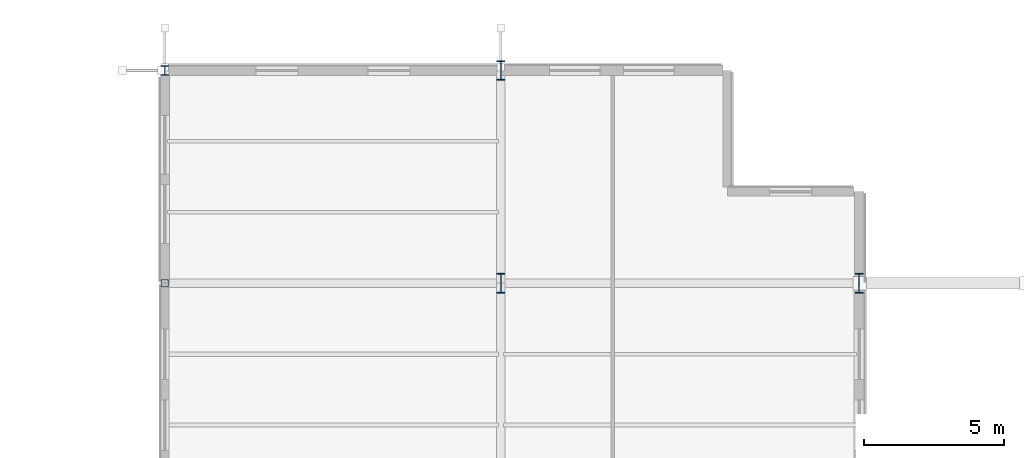
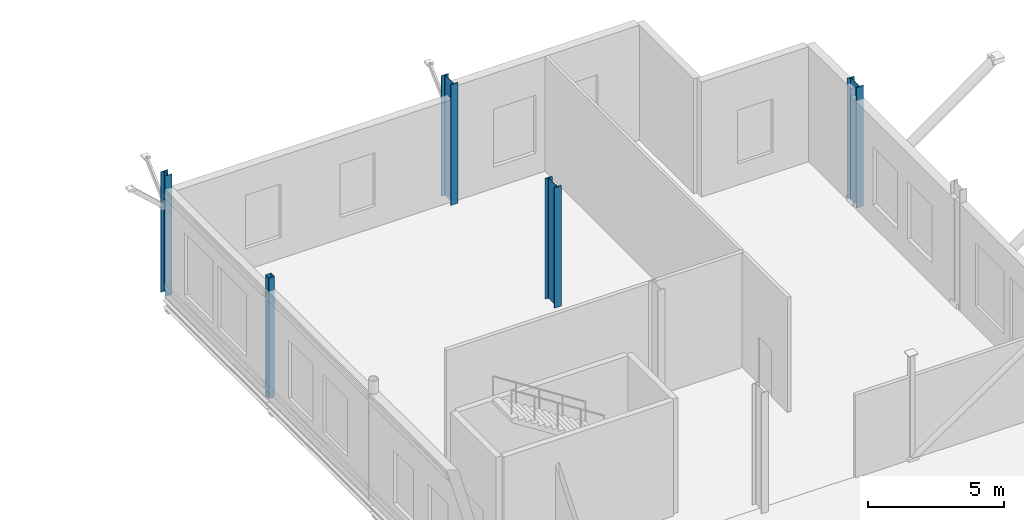
# One storey, part 24 of 147: 5 columns.
"""IFC4 building model written with IfcOpenShell, lengths in metres."""

from ifc_helpers import new_model, si_unit, direction, frame, origin, origin_2d, place, context, subcontext, project, spatial, hollow_rectangle, i_section, extrude, material, material_profile, profile_set, type_object, element, save


model = new_model("IFC4")

# Units and contexts
model_context = context("Model", 3, precision=1e-05, world=origin(), true_north=direction((0.0, 1.0)))
body_context = subcontext(model_context, "Body", "Model", "MODEL_VIEW")
ifc_project = project(units=[si_unit("LENGTHUNIT", "METRE"), si_unit("AREAUNIT", "SQUARE_METRE"), si_unit("VOLUMEUNIT", "CUBIC_METRE"), si_unit("PLANEANGLEUNIT", "RADIAN"), si_unit("MASSUNIT", "GRAM", prefix="KILO")], contexts=[model_context])

# Site, building, storey
site_placement = place(None, origin())
site = spatial("IfcSite", under=ifc_project, at=site_placement, CompositionType="ELEMENT")
building_placement = place(site_placement, origin())
building = spatial("IfcBuilding", under=site, at=building_placement, Name="Vekula Escarpment Museum", CompositionType="ELEMENT")
storey_placement = place(building_placement, frame((0.0, 0.0, 7.800048828125)))
storey = spatial("IfcBuildingStorey", under=building, at=storey_placement, Name="L02", CompositionType="ELEMENT", Elevation=7.800048828125)

# Columns
ifc_material_1 = material(Name="Steel S355", Category="steel")
ifc_material_profile_1 = material_profile(ifc_material_1, i_section(OverallWidth=0.300048828125, OverallDepth=0.330078125, WebThickness=0.009521484375, FlangeThickness=0.0166015625, FilletRadius=0.027099609375, at=origin_2d()), Name="HEA 340")
ifc_profile_set_1 = profile_set([ifc_material_profile_1], Name="Steel S355")
column_type_1 = type_object("IfcColumnType", Name="COL-S-HEA340", PredefinedType="COLUMN", material=ifc_profile_set_1)
column_1_placement = place(storey_placement, frame((167.0, 136.0, 0.0), z_axis=(0.0, 0.0, 1.0), x_axis=(1.0, 0.0, 0.0)))
element("IfcColumn", 1, at=column_1_placement, inside=storey, type_object=column_type_1, Name="Column L02 (167.0,136.0)", PredefinedType="COLUMN", context=body_context, shape_type="SweptSolid", body=[
    extrude(i_section(OverallWidth=0.300048828125, OverallDepth=0.330078125, WebThickness=0.009521484375, FlangeThickness=0.0166015625, FilletRadius=0.027099609375, at=origin_2d()), origin(), (0.0, 0.0, 1.0), 5.39990234375),
])
ifc_material_2 = material(Name="Steel S355", Category="steel")
ifc_material_profile_2 = material_profile(ifc_material_2, i_section(OverallWidth=0.300048828125, OverallDepth=0.699951171875, WebThickness=0.01708984375, FlangeThickness=0.031982421875, FilletRadius=0.027099609375, at=origin_2d()), Name="HEB 700")
ifc_profile_set_2 = profile_set([ifc_material_profile_2], Name="Steel S355")
column_type_2 = type_object("IfcColumnType", Name="COL-S-HEB700", PredefinedType="COLUMN", material=ifc_profile_set_2)
for number, where, z_axis, x_axis, name in (
    (2, (179.0, 128.39990234375, 0.0), (0.0, 0.0, 1.0), (1.0, 0.0, 0.0), "Column L02 (179.0,128.4)"),
    (3, (179.0, 136.0, 0.0), (0.0, 0.0, 1.0), (1.0, 0.0, 0.0), "Column L02 (179.0,136.0)"),
    (4, (191.800048828125, 128.39990234375, 0.0), (0.0, 0.0, 1.0), (1.0, 0.0, 0.0), "Column L02 (191.8,128.4)"),
):
    element("IfcColumn", number, at=place(storey_placement, frame(where, z_axis=z_axis, x_axis=x_axis)), inside=storey, type_object=column_type_2, Name=name, PredefinedType="COLUMN", context=body_context, shape_type="SweptSolid", body=[
        extrude(i_section(OverallWidth=0.300048828125, OverallDepth=0.699951171875, WebThickness=0.01708984375, FlangeThickness=0.031982421875, FilletRadius=0.027099609375, at=origin_2d()), origin(), (0.0, 0.0, 1.0), 5.39990234375),
    ])
ifc_material_3 = material(Name="Steel S355", Category="steel")
ifc_material_profile_3 = material_profile(ifc_material_3, hollow_rectangle(XDim=0.260009765625, YDim=0.260009765625, WallThickness=0.012451171875, InnerFilletRadius=0.012451171875, OuterFilletRadius=0.02490234375, at=origin_2d()), Name="SHS 260x260x12.5")
ifc_profile_set_3 = profile_set([ifc_material_profile_3], Name="Steel S355")
column_type_3 = type_object("IfcColumnType", Name="COL-S-SHS260", PredefinedType="COLUMN", material=ifc_profile_set_3)
column_2_placement = place(storey_placement, frame((167.0, 128.39990234375, 0.0), z_axis=(0.0, 0.0, 1.0), x_axis=(1.0, 0.0, 0.0)))
element("IfcColumn", 5, at=column_2_placement, inside=storey, type_object=column_type_3, Name="Column L02 (167.0,128.4)", PredefinedType="COLUMN", context=body_context, shape_type="SweptSolid", body=[
    extrude(hollow_rectangle(XDim=0.260009765625, YDim=0.260009765625, WallThickness=0.012451171875, InnerFilletRadius=0.012451171875, OuterFilletRadius=0.02490234375, at=origin_2d()), origin(), (0.0, 0.0, 1.0), 5.39990234375),
])

save(model, "model.ifc")
